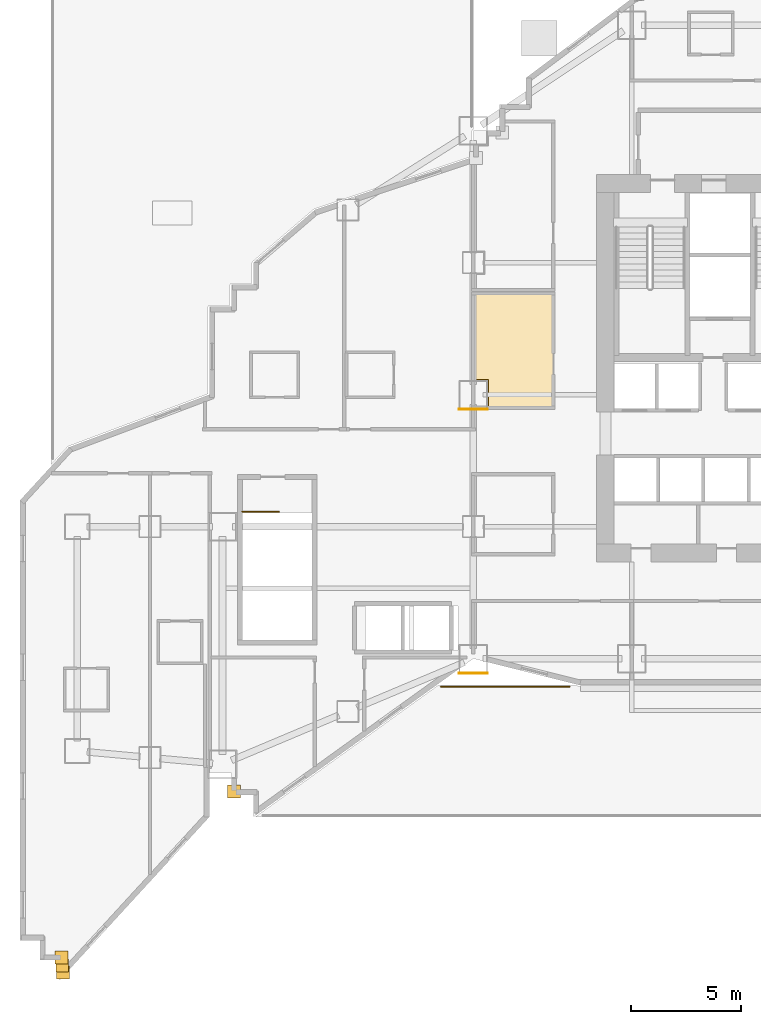
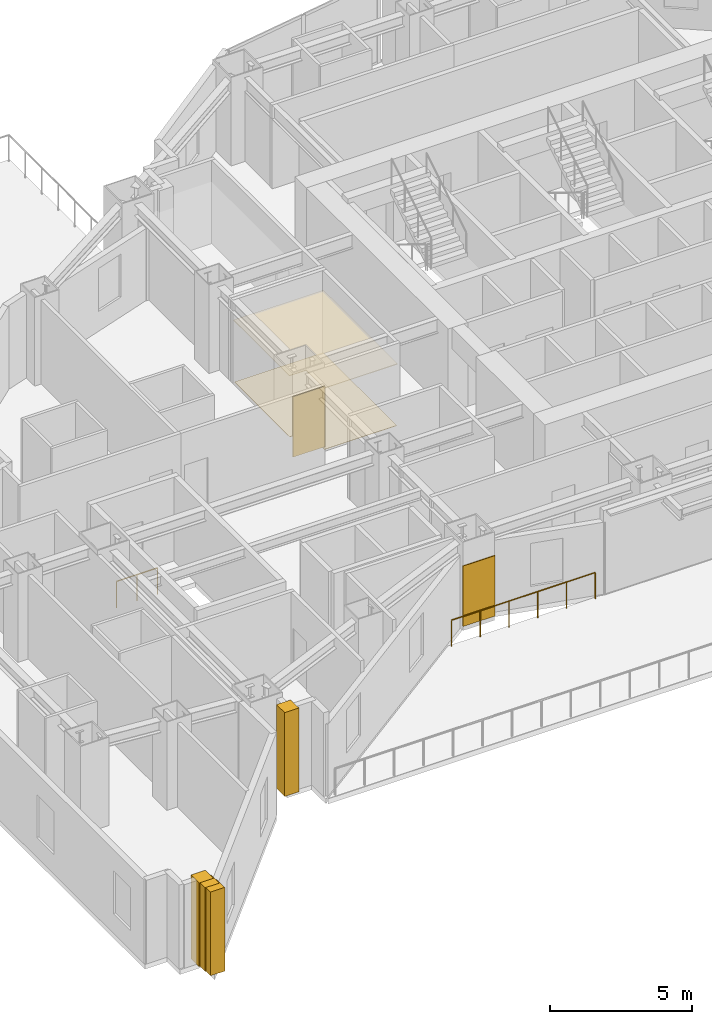
# One storey, part 14 of 20: 8 coverings, 2 railings.
"""IFC4 building model written with IfcOpenShell, lengths in metres."""

import ifcopenshell
import ifcopenshell.guid

model = None  # the IFC model being written
_history = None  # IfcOwnerHistory: only IFC2X3 demands one
_inside = {}  # id of a spatial element -> (the spatial element, [elements in it])
_under = {}  # id of a project, library or spatial element -> (it, [spatial elements below it])
_declared = {}  # id of a project -> (the project, [libraries it declares])
_typed = {}  # id of a type object -> (the type object, [elements of that type])
_made_of = {}  # id of a material, layer set ... -> (it, [elements and type objects made of it])


def new_model(schema):
    """Start an empty IFC model of exactly this schema.

    Asked for "IFC4X3", IfcOpenShell would pick the latest addendum, in which some entities
    have other attributes; the version numbers below select the first issue.
    IFC2X3 requires an IfcOwnerHistory on every rooted entity: one is made here for all.
    """
    global model, _history
    if schema == "IFC4X3":
        model = ifcopenshell.file(schema_version=(4, 3, 0, 0))
    else:
        model = ifcopenshell.file(schema=schema)
    _inside.clear()
    _under.clear()
    _declared.clear()
    _typed.clear()
    _made_of.clear()
    _history = None
    if model.schema == "IFC2X3":
        org = make("IfcOrganization", Name="unknown")
        user = make(
            "IfcPersonAndOrganization",
            ThePerson=make("IfcPerson", FamilyName="unknown"),
            TheOrganization=org,
        )
        app = make(
            "IfcApplication",
            ApplicationDeveloper=org,
            Version="unknown",
            ApplicationFullName="unknown",
            ApplicationIdentifier="unknown",
        )
        _history = make(
            "IfcOwnerHistory",
            OwningUser=user,
            OwningApplication=app,
            ChangeAction="ADDED",
            CreationDate=0,
        )
    return model


def make(cls, **values):
    """One entity of the class cls with the attributes given. An attribute that is None is left unset."""
    return model.create_entity(
        cls, **{name: value for name, value in values.items() if value is not None}
    )


def rooted(cls, **values):
    """An entity with a GlobalId (a new one), such as an element, a storey or a relation."""
    return make(cls, GlobalId=ifcopenshell.guid.new(), OwnerHistory=_history, **values)


def si_unit(unit_type, name, prefix=None):
    """IfcSIUnit, for example si_unit("LENGTHUNIT", "METRE", prefix="MILLI")."""
    return make("IfcSIUnit", UnitType=unit_type, Prefix=prefix, Name=name)


def assignment(units):
    """IfcUnitAssignment: the units of a project."""
    return None if units is None else make("IfcUnitAssignment", Units=units)


def point(xyz):
    """IfcCartesianPoint."""
    return None if xyz is None else make("IfcCartesianPoint", Coordinates=xyz)


def direction(xyz):
    """IfcDirection."""
    return None if xyz is None else make("IfcDirection", DirectionRatios=xyz)


def frame(location, z_axis=None, x_axis=None):
    """IfcAxis2Placement3D, a coordinate frame: its origin and axes. An axis left out is left unset."""
    return make(
        "IfcAxis2Placement3D",
        Location=point(location),
        Axis=direction(z_axis),
        RefDirection=direction(x_axis),
    )


def frame_2d(location, x_axis=None):
    """IfcAxis2Placement2D, a coordinate frame in the plane: its origin and x axis."""
    return make(
        "IfcAxis2Placement2D", Location=point(location), RefDirection=direction(x_axis)
    )


def origin():
    """The frame at (0, 0, 0) with its axes left unset."""
    return frame((0.0, 0.0, 0.0))


def origin_2d():
    """The frame at (0, 0) in the plane with its x axis left unset."""
    return frame_2d((0.0, 0.0))


def place(relative_to, where):
    """IfcLocalPlacement: puts the frame where relative to a parent placement (None: the world)."""
    return make(
        "IfcLocalPlacement", PlacementRelTo=relative_to, RelativePlacement=where
    )


def context(
    kind, dimensions, precision=None, world=None, true_north=None, identifier=None
):
    """IfcGeometricRepresentationContext, for example the 3D "Model" context."""
    return make(
        "IfcGeometricRepresentationContext",
        ContextIdentifier=identifier,
        ContextType=kind,
        CoordinateSpaceDimension=dimensions,
        Precision=precision,
        WorldCoordinateSystem=world,
        TrueNorth=true_north,
    )


def subcontext(parent, identifier, kind, view, scale=None):
    """IfcGeometricRepresentationSubContext, for example "Body" below "Model"."""
    return make(
        "IfcGeometricRepresentationSubContext",
        ContextIdentifier=identifier,
        ContextType=kind,
        ParentContext=parent,
        TargetScale=scale,
        TargetView=view,
    )


def project(units=None, contexts=None):
    """IfcProject with its units and contexts."""
    return rooted(
        "IfcProject",
        Name="project",
        RepresentationContexts=contexts,
        UnitsInContext=assignment(units),
    )


def spatial(cls, under=None, at=None, **own):
    """A site, building, storey or space (cls), placed at a placement, below another one or the project."""
    s = rooted(cls, ObjectPlacement=at, **own)
    if under is not None:
        _under.setdefault(under.id(), (under, []))[1].append(s)
    return s


def polyline(points):
    """IfcPolyline through the points."""
    return make("IfcPolyline", Points=[point(p) for p in points])


def profile(cls, at=None, kind="AREA", **sizes):
    """A parametric profile (cls). Its sizes go by their IFC names, for example OverallWidth=200.0."""
    return make(cls, ProfileType=kind, Position=at, **sizes)


def rectangle(**sizes):
    """IfcRectangleProfileDef."""
    return profile("IfcRectangleProfileDef", **sizes)


def circle(**sizes):
    """IfcCircleProfileDef."""
    return profile("IfcCircleProfileDef", **sizes)


def outline(outer, holes=None, kind="AREA"):
    """IfcArbitraryClosedProfileDef: a profile drawn as a closed curve; with holes, ...WithVoids."""
    if holes is None:
        return make("IfcArbitraryClosedProfileDef", ProfileType=kind, OuterCurve=outer)
    return make(
        "IfcArbitraryProfileDefWithVoids",
        ProfileType=kind,
        OuterCurve=outer,
        InnerCurves=holes,
    )


def extrude(swept, where, along, depth):
    """IfcExtrudedAreaSolid: the profile swept, set in the frame where, extruded along a direction by depth."""
    return make(
        "IfcExtrudedAreaSolid",
        SweptArea=swept,
        Position=where,
        ExtrudedDirection=direction(along),
        Depth=depth,
    )


def shape(context_of_items, identifier, shape_type, items):
    """IfcShapeRepresentation: the items that make up one representation, for example the "Body"."""
    return make(
        "IfcShapeRepresentation",
        ContextOfItems=context_of_items,
        RepresentationIdentifier=identifier,
        RepresentationType=shape_type,
        Items=items,
    )


def material(Name=None, Category=None):
    """IfcMaterial."""
    return make("IfcMaterial", Name=Name, Category=Category)


def layer(
    of_material, thickness, ventilated=None, Name=None, Category=None, Priority=None
):
    """IfcMaterialLayer: one layer of a wall or slab, of a material (None: an air gap)."""
    return make(
        "IfcMaterialLayer",
        Material=of_material,
        LayerThickness=thickness,
        IsVentilated=ventilated,
        Name=Name,
        Category=Category,
        Priority=Priority,
    )


def layer_set(layers, Name=None):
    """IfcMaterialLayerSet."""
    return make("IfcMaterialLayerSet", MaterialLayers=layers, LayerSetName=Name)


def made_of(thing, what):
    """Note that an element or type object is made of a material, layer set ...; save() writes the relation."""
    if what is not None:
        _made_of.setdefault(what.id(), (what, []))[1].append(thing)
    return thing


def type_object(cls, material=None, **own):
    """A type object (cls), such as IfcWallType, which elements share."""
    return made_of(rooted(cls, **own), material)


def element(
    cls,
    number,
    at=None,
    inside=None,
    cuts=None,
    type_object=None,
    material=None,
    context=None,
    identifier="Body",
    shape_type=None,
    held_by="IfcProductDefinitionShape",
    body=None,
    shapes=None,
    **own,
):
    """One element of the class cls, such as IfcWall. Its Tag is "e" and its number.

    at: its placement. inside: the storey or other place that contains it. cuts: it is an
    opening in that element (IfcRelVoidsElement). A single representation is given by context,
    identifier, shape_type and body (its items); several are given by shapes. held_by: the class
    of the entity that holds the representations. save() writes the other relations.
    """
    e = rooted(cls, Tag="e%d" % number, ObjectPlacement=at, **own)
    if body is not None:
        shapes = [shape(context, identifier, shape_type, body)]
    if shapes is not None:
        e.Representation = make(held_by, Representations=shapes)
    if inside is not None:
        _inside.setdefault(inside.id(), (inside, []))[1].append(e)
    if cuts is not None:
        rooted(
            "IfcRelVoidsElement", RelatingBuildingElement=cuts, RelatedOpeningElement=e
        )
    if type_object is not None:
        _typed.setdefault(type_object.id(), (type_object, []))[1].append(e)
    return made_of(e, material)


def aggregate(whole, parts):
    """IfcRelAggregates: a whole, such as a stair, and the parts it consists of."""
    return rooted("IfcRelAggregates", RelatingObject=whole, RelatedObjects=parts)


def save(model, path):
    """Write the relations noted so far, then the file.

    IfcRelAggregates (storeys below a building ...), IfcRelContainedInSpatialStructure (elements
    in a storey), IfcRelDefinesByType, IfcRelAssociatesMaterial and IfcRelDeclares: one each for
    every whole, place, type object, material and project.
    """
    for whole, parts in _under.values():
        aggregate(whole, parts)
    for where, things in _inside.values():
        rooted(
            "IfcRelContainedInSpatialStructure",
            RelatedElements=things,
            RelatingStructure=where,
        )
    for kind, things in _typed.values():
        rooted("IfcRelDefinesByType", RelatedObjects=things, RelatingType=kind)
    for what, things in _made_of.values():
        rooted("IfcRelAssociatesMaterial", RelatedObjects=things, RelatingMaterial=what)
    for by, libraries in _declared.values():
        rooted("IfcRelDeclares", RelatingContext=by, RelatedDefinitions=libraries)
    model.write(path)


model = new_model("IFC4")

# Units and contexts
model_context = context("Model", 3, precision=1e-05, world=origin(), true_north=direction((0.0, 1.0)))
body_context = subcontext(model_context, "Body", "Model", "MODEL_VIEW")
ifc_project = project(units=[si_unit("LENGTHUNIT", "METRE"), si_unit("AREAUNIT", "SQUARE_METRE"), si_unit("VOLUMEUNIT", "CUBIC_METRE"), si_unit("PLANEANGLEUNIT", "RADIAN"), si_unit("MASSUNIT", "GRAM", prefix="KILO")], contexts=[model_context])

# Site, building, storey
site_placement = place(None, origin())
site = spatial("IfcSite", under=ifc_project, at=site_placement, CompositionType="ELEMENT")
building_placement = place(site_placement, origin())
building = spatial("IfcBuilding", under=site, at=building_placement, Name="Haolan Belvedere Tower", CompositionType="ELEMENT")
storey_placement = place(building_placement, frame((0.0, 0.0, 24.0)))
storey = spatial("IfcBuildingStorey", under=building, at=storey_placement, Name="L05", CompositionType="ELEMENT", Elevation=24.0)

# Coverings
ifc_material_1 = material(Name="Acoustic mineral-fibre suspended ceiling system", Category="masonry")
ifc_layer_1 = layer(ifc_material_1, 0.02490234375, Name="Acoustic mineral-fibre suspended ceiling system")
ifc_layer_set_1 = layer_set([ifc_layer_1], Name="Acoustic mineral-fibre suspended ceiling system")
covering_type_1 = type_object("IfcCoveringType", Name="COV-CEIL-AC25", PredefinedType="CEILING", material=ifc_layer_set_1)
covering_1_placement = place(storey_placement, frame((0.0, 0.0, 2.64990234375)))
element("IfcCovering", 1, at=covering_1_placement, inside=storey, type_object=covering_type_1, Name="L05 suspended acoustic ceiling L05-HSK.1", PredefinedType="CEILING", context=body_context, shape_type="SweptSolid", body=[
    extrude(outline(polyline([(27.652099609375, 32.988037109375), (27.652099609375, 38.2119140625), (23.988037109375, 38.2119140625), (23.988037109375, 34.264892578125), (24.6650390625, 34.264892578125), (24.6650390625, 32.988037109375), (27.652099609375, 32.988037109375)])), origin(), (0.0, 0.0, 1.0), 0.025146484375),
])
ifc_material_2 = material(Name="Pale champagne-silver anodised aluminium rainscreen cladding", Category="aluminium")
ifc_layer_2 = layer(ifc_material_2, 0.034912109375, Name="Pale champagne-silver anodised aluminium rainscreen cladding")
ifc_layer_set_2 = layer_set([ifc_layer_2], Name="Pale champagne-silver anodised aluminium rainscreen cladding")
covering_type_2 = type_object("IfcCoveringType", Name="COV-CLAD-35", PredefinedType="CLADDING", material=ifc_layer_set_2)
for number, where, z_axis, x_axis, name in (
    (2, (5.277587890625, 8.010009765625, 0.0), (0.0, 0.0, 1.0), (1.0, 0.0, 0.0), "L05 pale-metal serrated corner cladding trim 1"),
    (3, (5.320068359375, 7.654052734375, 0.0), (0.0, 0.0, 1.0), (1.0, 0.0, 0.0), "L05 pale-metal serrated corner cladding trim 2"),
    (4, (5.348876953125, 7.32958984375, 0.0), (0.0, 0.0, 1.0), (1.0, 0.0, 0.0), "L05 pale-metal serrated corner cladding trim 3"),
    (5, (13.1201171875, 15.5625, 0.0), (0.0, 0.0, 1.0), (1.0, 0.0, 0.0), "L05 pale-metal serrated corner cladding trim 4"),
):
    element("IfcCovering", number, at=place(storey_placement, frame(where, z_axis=z_axis, x_axis=x_axis)), inside=storey, type_object=covering_type_2, Name=name, PredefinedType="CLADDING", context=body_context, shape_type="SweptSolid", body=[
        extrude(rectangle(XDim=0.580078125, YDim=0.580078125, at=origin_2d()), origin(), (0.0, 0.0, 1.0), 3.60009765625),
    ])
for number, where, z_axis, x_axis, name in (
    (6, (24.0, 20.93505859375, 0.199951171875), (0.0, 0.0, 1.0), (1.0, 0.0, 0.0), "L05 pale-metal pier rainscreen cladding 1"),
    (7, (24.0, 32.93505859375, 0.199951171875), (0.0, 0.0, 1.0), (1.0, 0.0, 0.0), "L05 pale-metal pier rainscreen cladding 2"),
):
    element("IfcCovering", number, at=place(storey_placement, frame(where, z_axis=z_axis, x_axis=x_axis)), inside=storey, type_object=covering_type_2, Name=name, PredefinedType="CLADDING", context=body_context, shape_type="SweptSolid", body=[
        extrude(rectangle(XDim=1.300048828125, YDim=0.034912109375, at=origin_2d()), origin(), (0.0, 0.0, 1.0), 2.60009765625),
    ])
ifc_material_3 = material(Name="Honed terrazzo and natural granite stone flooring", Category="masonry")
ifc_layer_3 = layer(ifc_material_3, 0.014892578125, Name="Honed terrazzo and natural granite stone flooring")
ifc_layer_set_3 = layer_set([ifc_layer_3], Name="Honed terrazzo and natural granite stone flooring")
covering_type_3 = type_object("IfcCoveringType", Name="COV-FLR-STN30", PredefinedType="FLOORING", material=ifc_layer_set_3)
covering_2_placement = place(storey_placement, origin())
element("IfcCovering", 8, at=covering_2_placement, inside=storey, type_object=covering_type_3, Name="L05 polished stone floor finish L05-HSK.1", PredefinedType="FLOORING", context=body_context, shape_type="SweptSolid", body=[
    extrude(outline(polyline([(27.626953125, 38.18701171875), (24.012939453125, 38.18701171875), (24.012939453125, 34.2900390625), (24.68994140625, 34.2900390625), (24.68994140625, 33.012939453125), (27.626953125, 33.012939453125), (27.626953125, 38.18701171875)])), origin(), (0.0, 0.0, 1.0), 0.014892578125),
])

# Railings
ifc_material_4 = material(Name="Brushed stainless steel 304", Category="steel")
railing_type_1 = type_object("IfcRailingType", Name="RL-STAIR-GRD-1150", PredefinedType="GUARDRAIL", material=ifc_material_4)
railing_1_placement = place(storey_placement, frame((13.5, 28.280029296875, 0.0)))
element("IfcRailing", 9, at=railing_1_placement, inside=storey, type_object=railing_type_1, Name="L05 ST4 top well guard 1", PredefinedType="GUARDRAIL", context=body_context, shape_type="SweptSolid", body=[
    extrude(circle(Radius=0.02392578125, at=origin_2d()), frame((0.0, 0.0, 1.1259765625), z_axis=(1.0, 0.0, 0.0), x_axis=(0.0, 1.0, 0.0)), (0.0, 0.0, 1.0), 1.659912109375),
    extrude(circle(Radius=0.02099609375, at=origin_2d()), origin(), (0.0, 0.0, 1.0), 1.101806640625),
    extrude(circle(Radius=0.02099609375, at=origin_2d()), frame((0.830078125, 0.0, 0.0)), (0.0, 0.0, 1.0), 1.101806640625),
    extrude(circle(Radius=0.02099609375, at=origin_2d()), frame((1.659912109375, 0.0, 0.0)), (0.0, 0.0, 1.0), 1.101806640625),
])
ifc_material_5 = material(Name="Anodised aluminium and laminated glass balustrade", Category="aluminium")
railing_type_2 = type_object("IfcRailingType", Name="RL-TER-BAL-1150", PredefinedType="BALUSTRADE", material=ifc_material_5)
railing_2_placement = place(storey_placement, frame((22.5302734375, 20.320068359375, 0.0)))
element("IfcRailing", 10, at=railing_2_placement, inside=storey, type_object=railing_type_2, Name="L05 outdoor perimeter balustrade TERR-L05-1-2", PredefinedType="BALUSTRADE", context=body_context, shape_type="SweptSolid", body=[
    extrude(circle(Radius=0.02392578125, at=origin_2d()), frame((0.0, 0.0, 1.1259765625), z_axis=(1.0, 0.0, 0.0), x_axis=(0.0, 1.0, 0.0)), (0.0, 0.0, 1.0), 5.847412109375),
    extrude(circle(Radius=0.02099609375, at=origin_2d()), origin(), (0.0, 0.0, 1.0), 1.101806640625),
    extrude(circle(Radius=0.02099609375, at=origin_2d()), frame((1.16943359375, 0.0, 0.0)), (0.0, 0.0, 1.0), 1.101806640625),
    extrude(circle(Radius=0.02099609375, at=origin_2d()), frame((2.3388671875, 0.0, 0.0)), (0.0, 0.0, 1.0), 1.101806640625),
    extrude(circle(Radius=0.02099609375, at=origin_2d()), frame((3.508544921875, 0.0, 0.0)), (0.0, 0.0, 1.0), 1.101806640625),
    extrude(circle(Radius=0.02099609375, at=origin_2d()), frame((4.677978515625, 0.0, 0.0)), (0.0, 0.0, 1.0), 1.101806640625),
    extrude(circle(Radius=0.02099609375, at=origin_2d()), frame((5.847412109375, 0.0, 0.0)), (0.0, 0.0, 1.0), 1.101806640625),
])

save(model, "model.ifc")
